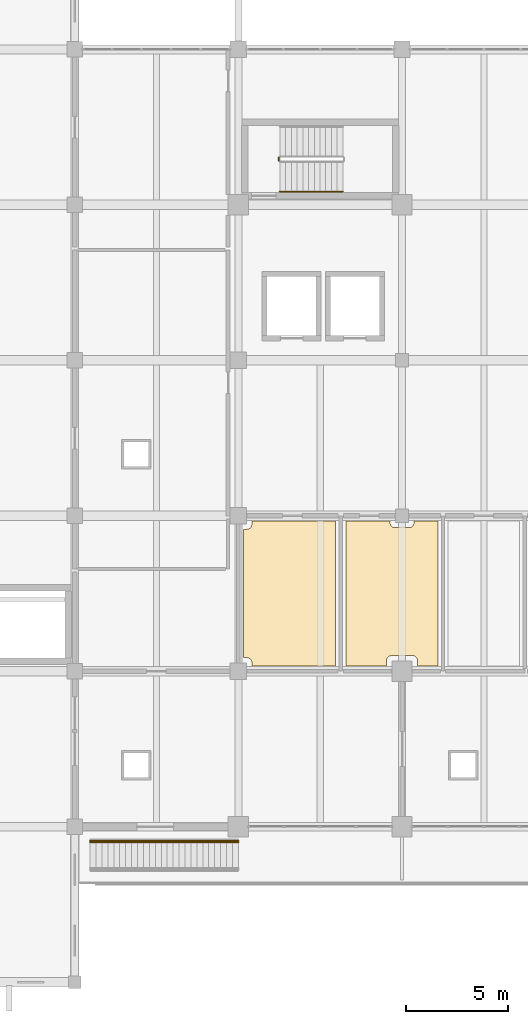
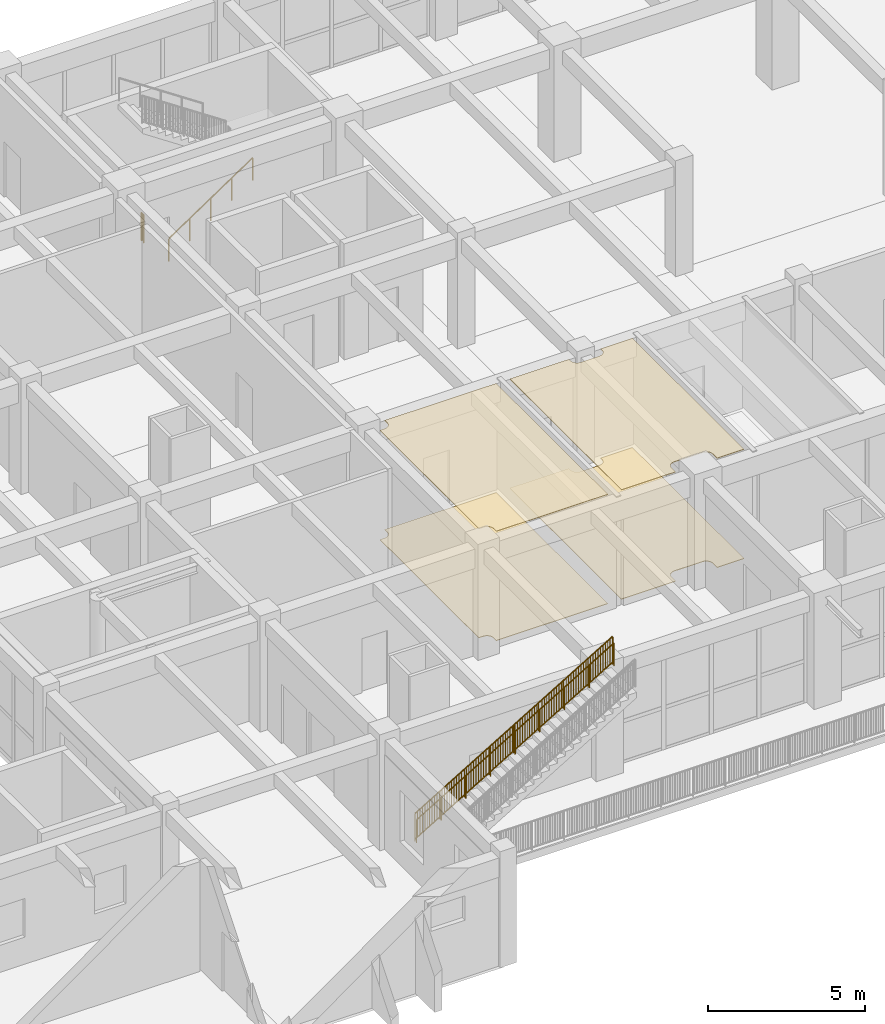
# One storey, part 69 of 79: 4 coverings, 4 railings.
"""IFC4 building model written with IfcOpenShell, lengths in metres."""

from ifc_helpers import new_model, si_unit, direction, frame, origin, origin_2d, place, context, subcontext, project, spatial, polyline, rectangle, circle, outline, extrude, material, layer, layer_set, type_object, element, save


model = new_model("IFC4")

# Units and contexts
model_context = context("Model", 3, precision=1e-05, world=origin(), true_north=direction((0.0, 1.0)))
body_context = subcontext(model_context, "Body", "Model", "MODEL_VIEW")
ifc_project = project(units=[si_unit("LENGTHUNIT", "METRE"), si_unit("AREAUNIT", "SQUARE_METRE"), si_unit("VOLUMEUNIT", "CUBIC_METRE"), si_unit("PLANEANGLEUNIT", "RADIAN"), si_unit("MASSUNIT", "GRAM", prefix="KILO")], contexts=[model_context])

# Site, building, storey
site_placement = place(None, origin())
site = spatial("IfcSite", under=ifc_project, at=site_placement, CompositionType="ELEMENT")
building_placement = place(site_placement, origin())
building = spatial("IfcBuilding", under=site, at=building_placement, Name="Zantavel Square City Hall", CompositionType="ELEMENT")
storey_placement = place(building_placement, frame((0.0, 0.0, 10.199951171875)))
storey = spatial("IfcBuildingStorey", under=building, at=storey_placement, Name="L03", CompositionType="ELEMENT", Elevation=10.199951171875)

# Railings
ifc_material_1 = material(Name="Steel ASTM A500 Grade B", Category="steel")
railing_type_1 = type_object("IfcRailingType", Name="Atrium & Gallery Steel Guard Railing 1100mm", PredefinedType="GUARDRAIL", material=ifc_material_1)
railing_1_placement = place(storey_placement, frame((65.97998046875, 62.9599609375, 0.0)))
element("IfcRailing", 1, at=railing_1_placement, inside=storey, type_object=railing_type_1, Name="L03 ST5 stair guard 4", PredefinedType="GUARDRAIL", context=body_context, shape_type="SweptSolid", body=[
    extrude(circle(Radius=0.02392578125, at=origin_2d()), frame((0.0, 0.0, 1.076171875), z_axis=(0.0, 1.0, 0.0), x_axis=(-1.0, 0.0, 0.0)), (0.0, 0.0, 1.0), 0.150146484375),
    extrude(rectangle(XDim=0.031982421875, YDim=0.031982421875, at=origin_2d()), frame((0.0, 0.0, 0.080078125), z_axis=(0.0, 1.0, 0.0), x_axis=(-1.0, 0.0, 0.0)), (0.0, 0.0, 1.0), 0.150146484375),
    extrude(rectangle(XDim=0.02197265625, YDim=0.02197265625, at=origin_2d()), frame((0.0, 0.0751953125, 0.080078125)), (0.0, 0.0, 1.0), 0.971923828125),
    extrude(circle(Radius=0.02099609375, at=origin_2d()), origin(), (0.0, 0.0, 1.0), 1.052001953125),
    extrude(circle(Radius=0.02099609375, at=origin_2d()), frame((0.0, 0.150146484375, 0.0)), (0.0, 0.0, 1.0), 1.052001953125),
])
railing_type_2 = type_object("IfcRailingType", Name="Classical Stone & Steel Terrace Balustrade 1100mm", PredefinedType="BALUSTRADE", material=ifc_material_1)
railing_2_placement = place(storey_placement, frame((56.75, 29.719970703125, 0.173095703125)))
element("IfcRailing", 2, at=railing_2_placement, inside=storey, type_object=railing_type_2, Name="Outdoor Stair ST-TR4 Balustered Guard L", PredefinedType="BALUSTRADE", context=body_context, shape_type="SweptSolid", body=[
    extrude(circle(Radius=0.02392578125, at=origin_2d()), frame((0.0, 0.0, 1.076171875), z_axis=(0.858697395518, 0.0, 0.512482958673), x_axis=(0.0, 1.0, 0.0)), (0.0, 0.0, 1.0), 8.443115234375),
    extrude(rectangle(XDim=0.031982421875, YDim=0.031982421875, at=origin_2d()), frame((0.0, 0.0, 0.080078125), z_axis=(0.858697395518, 0.0, 0.512482958673), x_axis=(0.0, 1.0, 0.0)), (0.0, 0.0, 1.0), 8.443115234375),
    extrude(rectangle(XDim=0.02197265625, YDim=0.02197265625, at=origin_2d()), frame((0.089599609375, 0.0, 0.13330078125)), (0.0, 0.0, 1.0), 0.971923828125),
    extrude(rectangle(XDim=0.02197265625, YDim=0.02197265625, at=origin_2d()), frame((0.178955078125, 0.0, 0.186767578125)), (0.0, 0.0, 1.0), 0.971923828125),
    extrude(rectangle(XDim=0.02197265625, YDim=0.02197265625, at=origin_2d()), frame((0.2685546875, 0.0, 0.240234375)), (0.0, 0.0, 1.0), 0.971923828125),
    extrude(rectangle(XDim=0.02197265625, YDim=0.02197265625, at=origin_2d()), frame((0.35791015625, 0.0, 0.293701171875)), (0.0, 0.0, 1.0), 0.971923828125),
    extrude(rectangle(XDim=0.02197265625, YDim=0.02197265625, at=origin_2d()), frame((0.447509765625, 0.0, 0.34716796875)), (0.0, 0.0, 1.0), 0.971923828125),
    extrude(rectangle(XDim=0.02197265625, YDim=0.02197265625, at=origin_2d()), frame((0.537109375, 0.0, 0.400390625)), (0.0, 0.0, 1.0), 0.971923828125),
    extrude(rectangle(XDim=0.02197265625, YDim=0.02197265625, at=origin_2d()), frame((0.62646484375, 0.0, 0.453857421875)), (0.0, 0.0, 1.0), 0.971923828125),
    extrude(rectangle(XDim=0.02197265625, YDim=0.02197265625, at=origin_2d()), frame((0.716064453125, 0.0, 0.50732421875)), (0.0, 0.0, 1.0), 0.971923828125),
    extrude(rectangle(XDim=0.02197265625, YDim=0.02197265625, at=origin_2d()), frame((0.8056640625, 0.0, 0.560791015625)), (0.0, 0.0, 1.0), 0.971923828125),
    extrude(rectangle(XDim=0.02197265625, YDim=0.02197265625, at=origin_2d()), frame((0.984619140625, 0.0, 0.667724609375)), (0.0, 0.0, 1.0), 0.971923828125),
    extrude(rectangle(XDim=0.02197265625, YDim=0.02197265625, at=origin_2d()), frame((1.073974609375, 0.0, 0.720947265625)), (0.0, 0.0, 1.0), 0.971923828125),
    extrude(rectangle(XDim=0.02197265625, YDim=0.02197265625, at=origin_2d()), frame((1.16357421875, 0.0, 0.7744140625)), (0.0, 0.0, 1.0), 0.971923828125),
    extrude(rectangle(XDim=0.02197265625, YDim=0.02197265625, at=origin_2d()), frame((1.253173828125, 0.0, 0.827880859375)), (0.0, 0.0, 1.0), 0.971923828125),
    extrude(rectangle(XDim=0.02197265625, YDim=0.02197265625, at=origin_2d()), frame((1.342529296875, 0.0, 0.88134765625)), (0.0, 0.0, 1.0), 0.971923828125),
    extrude(rectangle(XDim=0.02197265625, YDim=0.02197265625, at=origin_2d()), frame((1.43212890625, 0.0, 0.934814453125)), (0.0, 0.0, 1.0), 0.971923828125),
    extrude(rectangle(XDim=0.02197265625, YDim=0.02197265625, at=origin_2d()), frame((1.521484375, 0.0, 0.988037109375)), (0.0, 0.0, 1.0), 0.971923828125),
    extrude(rectangle(XDim=0.02197265625, YDim=0.02197265625, at=origin_2d()), frame((1.611083984375, 0.0, 1.04150390625)), (0.0, 0.0, 1.0), 0.971923828125),
    extrude(rectangle(XDim=0.02197265625, YDim=0.02197265625, at=origin_2d()), frame((1.70068359375, 0.0, 1.094970703125)), (0.0, 0.0, 1.0), 0.971923828125),
    extrude(rectangle(XDim=0.02197265625, YDim=0.02197265625, at=origin_2d()), frame((1.879638671875, 0.0, 1.201904296875)), (0.0, 0.0, 1.0), 0.971923828125),
    extrude(rectangle(XDim=0.02197265625, YDim=0.02197265625, at=origin_2d()), frame((1.96923828125, 0.0, 1.255126953125)), (0.0, 0.0, 1.0), 0.971923828125),
    extrude(rectangle(XDim=0.02197265625, YDim=0.02197265625, at=origin_2d()), frame((2.05859375, 0.0, 1.30859375)), (0.0, 0.0, 1.0), 0.971923828125),
    extrude(rectangle(XDim=0.02197265625, YDim=0.02197265625, at=origin_2d()), frame((2.148193359375, 0.0, 1.362060546875)), (0.0, 0.0, 1.0), 0.971923828125),
    extrude(rectangle(XDim=0.02197265625, YDim=0.02197265625, at=origin_2d()), frame((2.237548828125, 0.0, 1.41552734375)), (0.0, 0.0, 1.0), 0.971923828125),
    extrude(rectangle(XDim=0.02197265625, YDim=0.02197265625, at=origin_2d()), frame((2.3271484375, 0.0, 1.468994140625)), (0.0, 0.0, 1.0), 0.971923828125),
    extrude(rectangle(XDim=0.02197265625, YDim=0.02197265625, at=origin_2d()), frame((2.416748046875, 0.0, 1.522216796875)), (0.0, 0.0, 1.0), 0.971923828125),
    extrude(rectangle(XDim=0.02197265625, YDim=0.02197265625, at=origin_2d()), frame((2.506103515625, 0.0, 1.57568359375)), (0.0, 0.0, 1.0), 0.971923828125),
    extrude(rectangle(XDim=0.02197265625, YDim=0.02197265625, at=origin_2d()), frame((2.595703125, 0.0, 1.629150390625)), (0.0, 0.0, 1.0), 0.971923828125),
    extrude(rectangle(XDim=0.02197265625, YDim=0.02197265625, at=origin_2d()), frame((2.774658203125, 0.0, 1.736083984375)), (0.0, 0.0, 1.0), 0.971923828125),
    extrude(rectangle(XDim=0.02197265625, YDim=0.02197265625, at=origin_2d()), frame((2.8642578125, 0.0, 1.789306640625)), (0.0, 0.0, 1.0), 0.971923828125),
    extrude(rectangle(XDim=0.02197265625, YDim=0.02197265625, at=origin_2d()), frame((2.95361328125, 0.0, 1.8427734375)), (0.0, 0.0, 1.0), 0.971923828125),
    extrude(rectangle(XDim=0.02197265625, YDim=0.02197265625, at=origin_2d()), frame((3.043212890625, 0.0, 1.896240234375)), (0.0, 0.0, 1.0), 0.971923828125),
    extrude(rectangle(XDim=0.02197265625, YDim=0.02197265625, at=origin_2d()), frame((3.1328125, 0.0, 1.94970703125)), (0.0, 0.0, 1.0), 0.971923828125),
    extrude(rectangle(XDim=0.02197265625, YDim=0.02197265625, at=origin_2d()), frame((3.22216796875, 0.0, 2.003173828125)), (0.0, 0.0, 1.0), 0.971923828125),
    extrude(rectangle(XDim=0.02197265625, YDim=0.02197265625, at=origin_2d()), frame((3.311767578125, 0.0, 2.056396484375)), (0.0, 0.0, 1.0), 0.971923828125),
    extrude(rectangle(XDim=0.02197265625, YDim=0.02197265625, at=origin_2d()), frame((3.401123046875, 0.0, 2.10986328125)), (0.0, 0.0, 1.0), 0.971923828125),
    extrude(rectangle(XDim=0.02197265625, YDim=0.02197265625, at=origin_2d()), frame((3.49072265625, 0.0, 2.163330078125)), (0.0, 0.0, 1.0), 0.971923828125),
    extrude(rectangle(XDim=0.02197265625, YDim=0.02197265625, at=origin_2d()), frame((3.580322265625, 0.0, 2.216796875)), (0.0, 0.0, 1.0), 0.971923828125),
    extrude(rectangle(XDim=0.02197265625, YDim=0.02197265625, at=origin_2d()), frame((3.669677734375, 0.0, 2.270263671875)), (0.0, 0.0, 1.0), 0.971923828125),
    extrude(rectangle(XDim=0.02197265625, YDim=0.02197265625, at=origin_2d()), frame((3.75927734375, 0.0, 2.323486328125)), (0.0, 0.0, 1.0), 0.971923828125),
    extrude(rectangle(XDim=0.02197265625, YDim=0.02197265625, at=origin_2d()), frame((3.848876953125, 0.0, 2.376953125)), (0.0, 0.0, 1.0), 0.971923828125),
    extrude(rectangle(XDim=0.02197265625, YDim=0.02197265625, at=origin_2d()), frame((3.938232421875, 0.0, 2.430419921875)), (0.0, 0.0, 1.0), 0.971923828125),
    extrude(rectangle(XDim=0.02197265625, YDim=0.02197265625, at=origin_2d()), frame((4.02783203125, 0.0, 2.48388671875)), (0.0, 0.0, 1.0), 0.971923828125),
    extrude(rectangle(XDim=0.02197265625, YDim=0.02197265625, at=origin_2d()), frame((4.1171875, 0.0, 2.537353515625)), (0.0, 0.0, 1.0), 0.971923828125),
    extrude(rectangle(XDim=0.02197265625, YDim=0.02197265625, at=origin_2d()), frame((4.206787109375, 0.0, 2.590576171875)), (0.0, 0.0, 1.0), 0.971923828125),
    extrude(rectangle(XDim=0.02197265625, YDim=0.02197265625, at=origin_2d()), frame((4.29638671875, 0.0, 2.64404296875)), (0.0, 0.0, 1.0), 0.971923828125),
    extrude(rectangle(XDim=0.02197265625, YDim=0.02197265625, at=origin_2d()), frame((4.3857421875, 0.0, 2.697509765625)), (0.0, 0.0, 1.0), 0.971923828125),
    extrude(rectangle(XDim=0.02197265625, YDim=0.02197265625, at=origin_2d()), frame((4.475341796875, 0.0, 2.7509765625)), (0.0, 0.0, 1.0), 0.971923828125),
    extrude(rectangle(XDim=0.02197265625, YDim=0.02197265625, at=origin_2d()), frame((4.654296875, 0.0, 2.857666015625)), (0.0, 0.0, 1.0), 0.971923828125),
    extrude(rectangle(XDim=0.02197265625, YDim=0.02197265625, at=origin_2d()), frame((4.743896484375, 0.0, 2.9111328125)), (0.0, 0.0, 1.0), 0.971923828125),
    extrude(rectangle(XDim=0.02197265625, YDim=0.02197265625, at=origin_2d()), frame((4.833251953125, 0.0, 2.964599609375)), (0.0, 0.0, 1.0), 0.971923828125),
    extrude(rectangle(XDim=0.02197265625, YDim=0.02197265625, at=origin_2d()), frame((4.9228515625, 0.0, 3.01806640625)), (0.0, 0.0, 1.0), 0.971923828125),
    extrude(rectangle(XDim=0.02197265625, YDim=0.02197265625, at=origin_2d()), frame((5.012451171875, 0.0, 3.071533203125)), (0.0, 0.0, 1.0), 0.971923828125),
    extrude(rectangle(XDim=0.02197265625, YDim=0.02197265625, at=origin_2d()), frame((5.101806640625, 0.0, 3.124755859375)), (0.0, 0.0, 1.0), 0.971923828125),
    extrude(rectangle(XDim=0.02197265625, YDim=0.02197265625, at=origin_2d()), frame((5.19140625, 0.0, 3.17822265625)), (0.0, 0.0, 1.0), 0.971923828125),
    extrude(rectangle(XDim=0.02197265625, YDim=0.02197265625, at=origin_2d()), frame((5.28076171875, 0.0, 3.231689453125)), (0.0, 0.0, 1.0), 0.971923828125),
    extrude(rectangle(XDim=0.02197265625, YDim=0.02197265625, at=origin_2d()), frame((5.370361328125, 0.0, 3.28515625)), (0.0, 0.0, 1.0), 0.971923828125),
    extrude(rectangle(XDim=0.02197265625, YDim=0.02197265625, at=origin_2d()), frame((5.54931640625, 0.0, 3.391845703125)), (0.0, 0.0, 1.0), 0.971923828125),
    extrude(rectangle(XDim=0.02197265625, YDim=0.02197265625, at=origin_2d()), frame((5.638916015625, 0.0, 3.4453125)), (0.0, 0.0, 1.0), 0.971923828125),
    extrude(rectangle(XDim=0.02197265625, YDim=0.02197265625, at=origin_2d()), frame((5.728515625, 0.0, 3.498779296875)), (0.0, 0.0, 1.0), 0.971923828125),
    extrude(rectangle(XDim=0.02197265625, YDim=0.02197265625, at=origin_2d()), frame((5.81787109375, 0.0, 3.55224609375)), (0.0, 0.0, 1.0), 0.971923828125),
    extrude(rectangle(XDim=0.02197265625, YDim=0.02197265625, at=origin_2d()), frame((5.907470703125, 0.0, 3.605712890625)), (0.0, 0.0, 1.0), 0.971923828125),
    extrude(rectangle(XDim=0.02197265625, YDim=0.02197265625, at=origin_2d()), frame((5.996826171875, 0.0, 3.658935546875)), (0.0, 0.0, 1.0), 0.971923828125),
    extrude(rectangle(XDim=0.02197265625, YDim=0.02197265625, at=origin_2d()), frame((6.08642578125, 0.0, 3.71240234375)), (0.0, 0.0, 1.0), 0.971923828125),
    extrude(rectangle(XDim=0.02197265625, YDim=0.02197265625, at=origin_2d()), frame((6.176025390625, 0.0, 3.765869140625)), (0.0, 0.0, 1.0), 0.971923828125),
    extrude(rectangle(XDim=0.02197265625, YDim=0.02197265625, at=origin_2d()), frame((6.265380859375, 0.0, 3.8193359375)), (0.0, 0.0, 1.0), 0.971923828125),
    extrude(rectangle(XDim=0.02197265625, YDim=0.02197265625, at=origin_2d()), frame((6.4443359375, 0.0, 3.926025390625)), (0.0, 0.0, 1.0), 0.971923828125),
    extrude(rectangle(XDim=0.02197265625, YDim=0.02197265625, at=origin_2d()), frame((6.533935546875, 0.0, 3.9794921875)), (0.0, 0.0, 1.0), 0.971923828125),
    extrude(rectangle(XDim=0.02197265625, YDim=0.02197265625, at=origin_2d()), frame((6.62353515625, 0.0, 4.032958984375)), (0.0, 0.0, 1.0), 0.971923828125),
    extrude(rectangle(XDim=0.02197265625, YDim=0.02197265625, at=origin_2d()), frame((6.712890625, 0.0, 4.08642578125)), (0.0, 0.0, 1.0), 0.971923828125),
    extrude(rectangle(XDim=0.02197265625, YDim=0.02197265625, at=origin_2d()), frame((6.802490234375, 0.0, 4.139892578125)), (0.0, 0.0, 1.0), 0.971923828125),
    extrude(rectangle(XDim=0.02197265625, YDim=0.02197265625, at=origin_2d()), frame((6.89208984375, 0.0, 4.193115234375)), (0.0, 0.0, 1.0), 0.971923828125),
    extrude(rectangle(XDim=0.02197265625, YDim=0.02197265625, at=origin_2d()), frame((6.9814453125, 0.0, 4.24658203125)), (0.0, 0.0, 1.0), 0.971923828125),
    extrude(rectangle(XDim=0.02197265625, YDim=0.02197265625, at=origin_2d()), frame((7.071044921875, 0.0, 4.300048828125)), (0.0, 0.0, 1.0), 0.971923828125),
    extrude(rectangle(XDim=0.02197265625, YDim=0.02197265625, at=origin_2d()), frame((7.160400390625, 0.0, 4.353515625)), (0.0, 0.0, 1.0), 0.971923828125),
    extrude(circle(Radius=0.02099609375, at=origin_2d()), origin(), (0.0, 0.0, 1.0), 1.052001953125),
    extrude(circle(Radius=0.02099609375, at=origin_2d()), frame((0.90625, 0.0, 0.540771484375)), (0.0, 0.0, 1.0), 1.052001953125),
    extrude(circle(Radius=0.02099609375, at=origin_2d()), frame((1.8125, 0.0, 1.081787109375)), (0.0, 0.0, 1.0), 1.052001953125),
    extrude(circle(Radius=0.02099609375, at=origin_2d()), frame((2.71875, 0.0, 1.62255859375)), (0.0, 0.0, 1.0), 1.052001953125),
    extrude(circle(Radius=0.02099609375, at=origin_2d()), frame((3.625, 0.0, 2.16357421875)), (0.0, 0.0, 1.0), 1.052001953125),
    extrude(circle(Radius=0.02099609375, at=origin_2d()), frame((4.53125, 0.0, 2.704345703125)), (0.0, 0.0, 1.0), 1.052001953125),
    extrude(circle(Radius=0.02099609375, at=origin_2d()), frame((5.4375, 0.0, 3.2451171875)), (0.0, 0.0, 1.0), 1.052001953125),
    extrude(circle(Radius=0.02099609375, at=origin_2d()), frame((6.34375, 0.0, 3.7861328125)), (0.0, 0.0, 1.0), 1.052001953125),
    extrude(circle(Radius=0.02099609375, at=origin_2d()), frame((7.25, 0.0, 4.326904296875)), (0.0, 0.0, 1.0), 1.052001953125),
])

# Coverings
ifc_material_2 = material(Name="Terrazzo stone finish", Category="masonry")
ifc_layer_1 = layer(ifc_material_2, 0.02001953125, Name="Terrazzo stone finish")
ifc_layer_set_1 = layer_set([ifc_layer_1], Name="Terrazzo stone finish")
covering_type_1 = type_object("IfcCoveringType", Name="Honed Cantera-Terrazzo Civic Flooring 20mm", PredefinedType="FLOORING", material=ifc_layer_set_1)
covering_1_placement = place(storey_placement, origin())
element("IfcCovering", 3, at=covering_1_placement, inside=storey, type_object=covering_type_1, Name="L03 L03 Mens Restroom Terrazzo Flooring", PredefinedType="FLOORING", context=body_context, shape_type="SweptSolid", body=[
    extrude(outline(polyline([(64.659912109375, 38.409912109375), (64.65869140625, 38.4345703125), (64.6552734375, 38.458740234375), (64.649169921875, 38.482666015625), (64.64111328125, 38.505615234375), (64.630615234375, 38.52783203125), (64.617919921875, 38.548828125), (64.603271484375, 38.568603515625), (64.5869140625, 38.5869140625), (64.568603515625, 38.603271484375), (64.548828125, 38.617919921875), (64.52783203125, 38.630615234375), (64.505615234375, 38.64111328125), (64.482666015625, 38.649169921875), (64.458740234375, 38.6552734375), (64.4345703125, 38.65869140625), (64.409912109375, 38.659912109375), (64.25, 38.659912109375), (64.25, 44.93994140625), (64.409912109375, 44.93994140625), (64.4345703125, 44.941162109375), (64.458740234375, 44.94482421875), (64.482666015625, 44.95068359375), (64.505615234375, 44.958984375), (64.52783203125, 44.969482421875), (64.548828125, 44.982177734375), (64.568603515625, 44.99658203125), (64.5869140625, 45.01318359375), (64.603271484375, 45.031494140625), (64.617919921875, 45.051025390625), (64.630615234375, 45.072265625), (64.64111328125, 45.09423828125), (64.649169921875, 45.117431640625), (64.6552734375, 45.14111328125), (64.65869140625, 45.16552734375), (64.659912109375, 45.18994140625), (64.659912109375, 45.35009765625), (68.75, 45.35009765625), (68.75, 38.25), (64.659912109375, 38.25), (64.659912109375, 38.409912109375)])), origin(), (0.0, 0.0, 1.0), 0.02001953125),
])
covering_2_placement = place(storey_placement, origin())
element("IfcCovering", 4, at=covering_2_placement, inside=storey, type_object=covering_type_1, Name="L03 L03 Womens Restroom Terrazzo Flooring", PredefinedType="FLOORING", context=body_context, shape_type="SweptSolid", body=[
    extrude(outline(polyline([(72.760009765625, 38.510009765625), (72.7587890625, 38.534423828125), (72.755126953125, 38.558837890625), (72.749267578125, 38.58251953125), (72.740966796875, 38.605712890625), (72.73046875, 38.627685546875), (72.718017578125, 38.64892578125), (72.703369140625, 38.668701171875), (72.686767578125, 38.686767578125), (72.668701171875, 38.703369140625), (72.64892578125, 38.718017578125), (72.627685546875, 38.73046875), (72.605712890625, 38.740966796875), (72.58251953125, 38.749267578125), (72.558837890625, 38.755126953125), (72.534423828125, 38.7587890625), (72.510009765625, 38.760009765625), (71.489990234375, 38.760009765625), (71.465576171875, 38.7587890625), (71.441162109375, 38.755126953125), (71.41748046875, 38.749267578125), (71.394287109375, 38.740966796875), (71.372314453125, 38.73046875), (71.35107421875, 38.718017578125), (71.331298828125, 38.703369140625), (71.313232421875, 38.686767578125), (71.296630859375, 38.668701171875), (71.281982421875, 38.64892578125), (71.26953125, 38.627685546875), (71.259033203125, 38.605712890625), (71.250732421875, 38.58251953125), (71.244873046875, 38.558837890625), (71.2412109375, 38.534423828125), (71.239990234375, 38.510009765625), (71.239990234375, 38.25), (69.25, 38.25), (69.25, 45.35009765625), (71.4150390625, 45.35009765625), (71.4150390625, 45.264892578125), (71.416259765625, 45.240478515625), (71.419921875, 45.21630859375), (71.42578125, 45.1923828125), (71.43408203125, 45.169189453125), (71.444580078125, 45.147216796875), (71.45703125, 45.126220703125), (71.4716796875, 45.1064453125), (71.48828125, 45.088134765625), (71.50634765625, 45.07177734375), (71.526123046875, 45.05712890625), (71.547119140625, 45.04443359375), (71.5693359375, 45.033935546875), (71.59228515625, 45.02587890625), (71.6162109375, 45.019775390625), (71.640380859375, 45.01611328125), (71.6650390625, 45.014892578125), (72.3349609375, 45.014892578125), (72.359619140625, 45.01611328125), (72.3837890625, 45.019775390625), (72.40771484375, 45.02587890625), (72.4306640625, 45.033935546875), (72.452880859375, 45.04443359375), (72.473876953125, 45.05712890625), (72.49365234375, 45.07177734375), (72.51171875, 45.088134765625), (72.5283203125, 45.1064453125), (72.54296875, 45.126220703125), (72.555419921875, 45.147216796875), (72.56591796875, 45.169189453125), (72.57421875, 45.1923828125), (72.580078125, 45.21630859375), (72.583740234375, 45.240478515625), (72.5849609375, 45.264892578125), (72.5849609375, 45.35009765625), (73.75, 45.35009765625), (73.75, 38.25), (72.760009765625, 38.25), (72.760009765625, 38.510009765625)])), origin(), (0.0, 0.0, 1.0), 0.02001953125),
])
ifc_material_3 = material(Name="Gypsum acoustic stud assembly", Category="masonry")
ifc_layer_2 = layer(ifc_material_3, 0.02490234375, Name="Gypsum acoustic stud assembly")
ifc_layer_set_2 = layer_set([ifc_layer_2], Name="Gypsum acoustic stud assembly")
covering_type_2 = type_object("IfcCoveringType", Name="Perforated Gypsum Acoustic Ceiling 25mm", PredefinedType="CEILING", material=ifc_layer_set_2)
covering_3_placement = place(storey_placement, frame((0.0, 0.0, 4.235107421875)))
element("IfcCovering", 5, at=covering_3_placement, inside=storey, type_object=covering_type_2, Name="L03 L03 Mens Restroom Acoustic Ceiling", PredefinedType="CEILING", context=body_context, shape_type="SweptSolid", body=[
    extrude(outline(polyline([(64.659912109375, 38.409912109375), (64.65869140625, 38.4345703125), (64.6552734375, 38.458740234375), (64.649169921875, 38.482666015625), (64.64111328125, 38.505615234375), (64.630615234375, 38.52783203125), (64.617919921875, 38.548828125), (64.603271484375, 38.568603515625), (64.5869140625, 38.5869140625), (64.568603515625, 38.603271484375), (64.548828125, 38.617919921875), (64.52783203125, 38.630615234375), (64.505615234375, 38.64111328125), (64.482666015625, 38.649169921875), (64.458740234375, 38.6552734375), (64.4345703125, 38.65869140625), (64.409912109375, 38.659912109375), (64.25, 38.659912109375), (64.25, 44.93994140625), (64.409912109375, 44.93994140625), (64.4345703125, 44.941162109375), (64.458740234375, 44.94482421875), (64.482666015625, 44.95068359375), (64.505615234375, 44.958984375), (64.52783203125, 44.969482421875), (64.548828125, 44.982177734375), (64.568603515625, 44.99658203125), (64.5869140625, 45.01318359375), (64.603271484375, 45.031494140625), (64.617919921875, 45.051025390625), (64.630615234375, 45.072265625), (64.64111328125, 45.09423828125), (64.649169921875, 45.117431640625), (64.6552734375, 45.14111328125), (64.65869140625, 45.16552734375), (64.659912109375, 45.18994140625), (64.659912109375, 45.35009765625), (68.75, 45.35009765625), (68.75, 38.25), (64.659912109375, 38.25), (64.659912109375, 38.409912109375)])), origin(), (0.0, 0.0, 1.0), 0.02490234375),
])
covering_4_placement = place(storey_placement, frame((0.0, 0.0, 4.235107421875)))
element("IfcCovering", 6, at=covering_4_placement, inside=storey, type_object=covering_type_2, Name="L03 L03 Womens Restroom Acoustic Ceiling", PredefinedType="CEILING", context=body_context, shape_type="SweptSolid", body=[
    extrude(outline(polyline([(72.760009765625, 38.510009765625), (72.7587890625, 38.534423828125), (72.755126953125, 38.558837890625), (72.749267578125, 38.58251953125), (72.740966796875, 38.605712890625), (72.73046875, 38.627685546875), (72.718017578125, 38.64892578125), (72.703369140625, 38.668701171875), (72.686767578125, 38.686767578125), (72.668701171875, 38.703369140625), (72.64892578125, 38.718017578125), (72.627685546875, 38.73046875), (72.605712890625, 38.740966796875), (72.58251953125, 38.749267578125), (72.558837890625, 38.755126953125), (72.534423828125, 38.7587890625), (72.510009765625, 38.760009765625), (71.489990234375, 38.760009765625), (71.465576171875, 38.7587890625), (71.441162109375, 38.755126953125), (71.41748046875, 38.749267578125), (71.394287109375, 38.740966796875), (71.372314453125, 38.73046875), (71.35107421875, 38.718017578125), (71.331298828125, 38.703369140625), (71.313232421875, 38.686767578125), (71.296630859375, 38.668701171875), (71.281982421875, 38.64892578125), (71.26953125, 38.627685546875), (71.259033203125, 38.605712890625), (71.250732421875, 38.58251953125), (71.244873046875, 38.558837890625), (71.2412109375, 38.534423828125), (71.239990234375, 38.510009765625), (71.239990234375, 38.25), (69.25, 38.25), (69.25, 45.35009765625), (71.4150390625, 45.35009765625), (71.4150390625, 45.264892578125), (71.416259765625, 45.240478515625), (71.419921875, 45.21630859375), (71.42578125, 45.1923828125), (71.43408203125, 45.169189453125), (71.444580078125, 45.147216796875), (71.45703125, 45.126220703125), (71.4716796875, 45.1064453125), (71.48828125, 45.088134765625), (71.50634765625, 45.07177734375), (71.526123046875, 45.05712890625), (71.547119140625, 45.04443359375), (71.5693359375, 45.033935546875), (71.59228515625, 45.02587890625), (71.6162109375, 45.019775390625), (71.640380859375, 45.01611328125), (71.6650390625, 45.014892578125), (72.3349609375, 45.014892578125), (72.359619140625, 45.01611328125), (72.3837890625, 45.019775390625), (72.40771484375, 45.02587890625), (72.4306640625, 45.033935546875), (72.452880859375, 45.04443359375), (72.473876953125, 45.05712890625), (72.49365234375, 45.07177734375), (72.51171875, 45.088134765625), (72.5283203125, 45.1064453125), (72.54296875, 45.126220703125), (72.555419921875, 45.147216796875), (72.56591796875, 45.169189453125), (72.57421875, 45.1923828125), (72.580078125, 45.21630859375), (72.583740234375, 45.240478515625), (72.5849609375, 45.264892578125), (72.5849609375, 45.35009765625), (73.75, 45.35009765625), (73.75, 38.25), (72.760009765625, 38.25), (72.760009765625, 38.510009765625)])), origin(), (0.0, 0.0, 1.0), 0.02490234375),
])

# Railings
ifc_material_4 = material(Name="Stainless steel 316", Category="steel")
railing_type_3 = type_object("IfcRailingType", Name="Stair Stainless Steel Handrail 900mm", PredefinedType="HANDRAIL", material=ifc_material_4)
railing_3_placement = place(storey_placement, frame((56.75, 29.633544921875, 0.173095703125)))
element("IfcRailing", 7, at=railing_3_placement, inside=storey, type_object=railing_type_3, Name="Outdoor Stair ST-TR4 Handrail L", PredefinedType="HANDRAIL", context=body_context, shape_type="SweptSolid", body=[
    extrude(circle(Radius=0.02392578125, at=origin_2d()), frame((0.0, 0.0, 0.8759765625), z_axis=(0.858697395518, 0.0, 0.512482958673), x_axis=(0.0, 1.0, 0.0)), (0.0, 0.0, 1.0), 8.443115234375),
    extrude(circle(Radius=0.02099609375, at=origin_2d()), origin(), (0.0, 0.0, 1.0), 0.851806640625),
    extrude(circle(Radius=0.02099609375, at=origin_2d()), frame((0.90625, 0.0, 0.540771484375)), (0.0, 0.0, 1.0), 0.851806640625),
    extrude(circle(Radius=0.02099609375, at=origin_2d()), frame((1.8125, 0.0, 1.081787109375)), (0.0, 0.0, 1.0), 0.851806640625),
    extrude(circle(Radius=0.02099609375, at=origin_2d()), frame((2.71875, 0.0, 1.62255859375)), (0.0, 0.0, 1.0), 0.851806640625),
    extrude(circle(Radius=0.02099609375, at=origin_2d()), frame((3.625, 0.0, 2.16357421875)), (0.0, 0.0, 1.0), 0.851806640625),
    extrude(circle(Radius=0.02099609375, at=origin_2d()), frame((4.53125, 0.0, 2.704345703125)), (0.0, 0.0, 1.0), 0.851806640625),
    extrude(circle(Radius=0.02099609375, at=origin_2d()), frame((5.4375, 0.0, 3.2451171875)), (0.0, 0.0, 1.0), 0.851806640625),
    extrude(circle(Radius=0.02099609375, at=origin_2d()), frame((6.34375, 0.0, 3.7861328125)), (0.0, 0.0, 1.0), 0.851806640625),
    extrude(circle(Radius=0.02099609375, at=origin_2d()), frame((7.25, 0.0, 4.326904296875)), (0.0, 0.0, 1.0), 0.851806640625),
])
railing_4_placement = place(storey_placement, frame((66.030029296875, 61.449951171875, 0.1875)))
element("IfcRailing", 8, at=railing_4_placement, inside=storey, type_object=railing_type_3, Name="L03 ST5 stair handrail 1", PredefinedType="HANDRAIL", context=body_context, shape_type="SweptSolid", body=[
    extrude(circle(Radius=0.02392578125, at=origin_2d()), frame((0.0, 0.0, 0.8759765625), z_axis=(0.830913701846, 0.0, 0.55640131208), x_axis=(0.0, 1.0, 0.0)), (0.0, 0.0, 1.0), 3.706787109375),
    extrude(circle(Radius=0.02099609375, at=origin_2d()), origin(), (0.0, 0.0, 1.0), 0.851806640625),
    extrude(circle(Radius=0.02099609375, at=origin_2d()), frame((0.77001953125, 0.0, 0.515625)), (0.0, 0.0, 1.0), 0.851806640625),
    extrude(circle(Radius=0.02099609375, at=origin_2d()), frame((1.5400390625, 0.0, 1.03125)), (0.0, 0.0, 1.0), 0.851806640625),
    extrude(circle(Radius=0.02099609375, at=origin_2d()), frame((2.31005859375, 0.0, 1.546875)), (0.0, 0.0, 1.0), 0.851806640625),
    extrude(circle(Radius=0.02099609375, at=origin_2d()), frame((3.080078125, 0.0, 2.0625)), (0.0, 0.0, 1.0), 0.851806640625),
])

save(model, "model.ifc")
